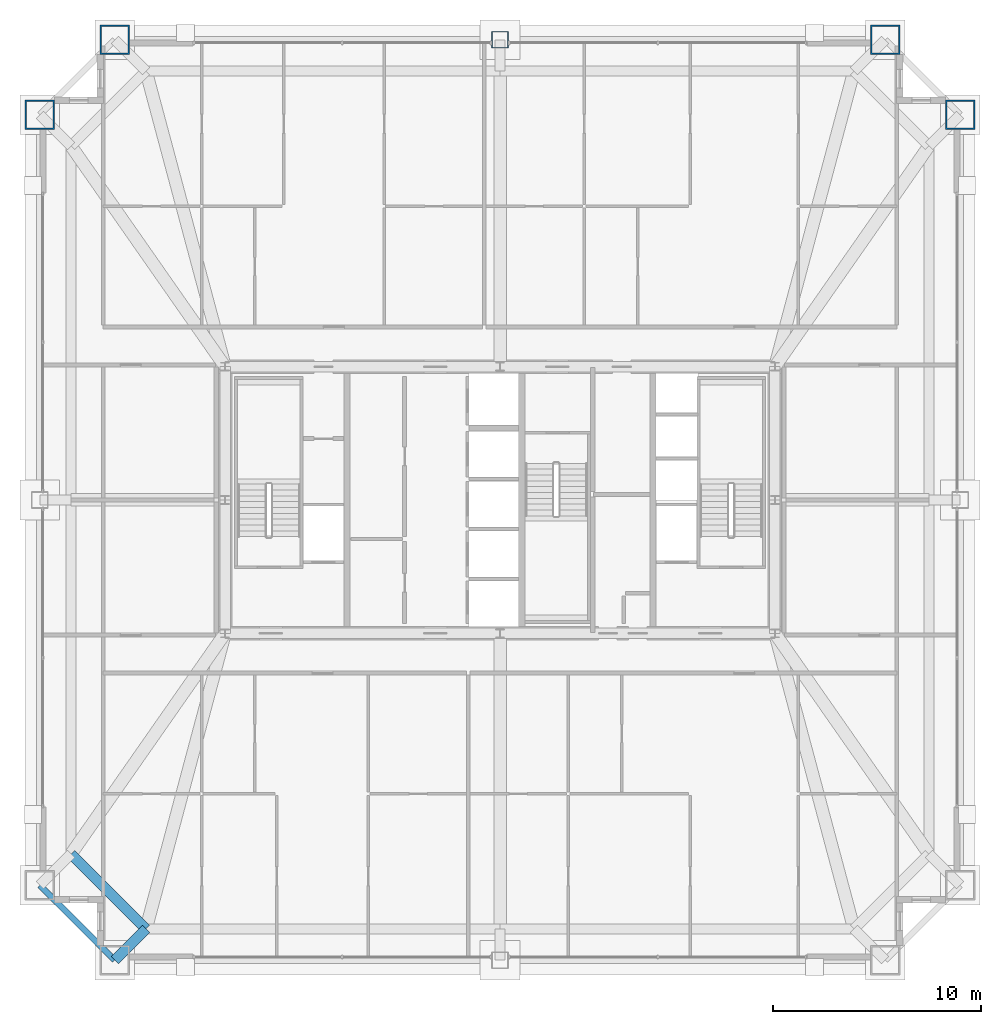
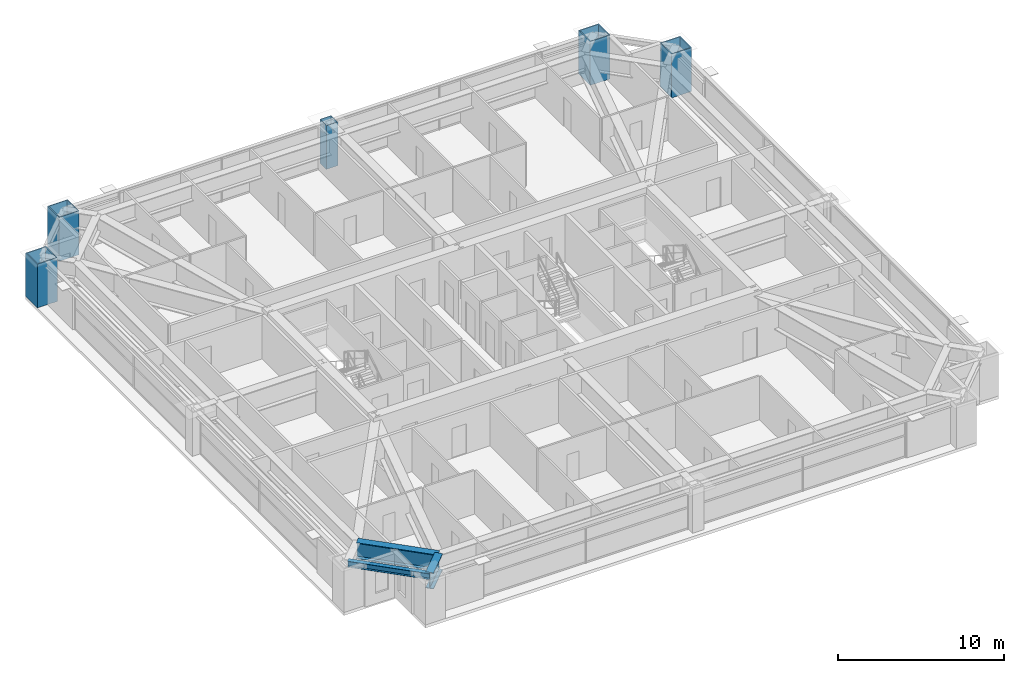
# One storey, part 3 of 39: 5 columns, 3 beams.
"""IFC4 building model written with IfcOpenShell, lengths in metres."""

from ifc_helpers import new_model, si_unit, direction, frame, origin, origin_2d, place, context, subcontext, project, spatial, hollow_rectangle, i_section, extrude, source, transform, mapped, material, material_profile, profile_set, type_object, element, save


model = new_model("IFC4")

# Units and contexts
model_context = context("Model", 3, precision=1e-05, world=origin(), true_north=direction((0.0, 1.0)))
body_context = subcontext(model_context, "Body", "Model", "MODEL_VIEW")
ifc_project = project(units=[si_unit("LENGTHUNIT", "METRE"), si_unit("AREAUNIT", "SQUARE_METRE"), si_unit("VOLUMEUNIT", "CUBIC_METRE"), si_unit("PLANEANGLEUNIT", "RADIAN"), si_unit("MASSUNIT", "GRAM", prefix="KILO"), si_unit("THERMODYNAMICTEMPERATUREUNIT", "KELVIN"), si_unit("POWERUNIT", "WATT")], contexts=[model_context])

# Site, building, storey
site_placement = place(None, origin())
site = spatial("IfcSite", under=ifc_project, at=site_placement, CompositionType="ELEMENT")
building_placement = place(site_placement, origin())
building = spatial("IfcBuilding", under=site, at=building_placement, Name="Yuzanri Waterfront Tower", CompositionType="ELEMENT")
storey_placement = place(building_placement, frame((0.0, 0.0, 216.0)))
storey = spatial("IfcBuildingStorey", under=building, at=storey_placement, Name="L57", CompositionType="ELEMENT", Elevation=216.0)

# Columns
ifc_material_1 = material(Name="Steel Q420GJC", Category="steel")
ifc_material_profile_1 = material_profile(ifc_material_1, hollow_rectangle(XDim=1.39990234375, YDim=1.39990234375, WallThickness=0.06005859375, at=origin_2d()), Name="RHS 1400x1400x60")
ifc_profile_set_1 = profile_set([ifc_material_profile_1], Name="Steel Q420GJC")
column_type_1 = type_object("IfcColumnType", Name="Mega Column Q420GJC RHS 1400x1400x60", PredefinedType="COLUMN", material=ifc_profile_set_1)
shared_shape_1 = source(origin(), body_context, "Body", "SweptSolid", [
    extrude(hollow_rectangle(XDim=1.39990234375, YDim=1.39990234375, WallThickness=0.06005859375, at=origin_2d()), origin(), (0.0, 0.0, 1.0), 3.219970703125),
])
for number, where, z_axis, x_axis, name in (
    (1, (18.5, 47.89990234375, 0.0), (0.0, 0.0, 1.0), (1.0, 0.0, 0.0), "L57 Perimeter Mega Column N1"),
    (2, (55.5, 47.89990234375, 0.0), (0.0, 0.0, 1.0), (1.0, 0.0, 0.0), "L57 Perimeter Mega Column N3"),
    (3, (14.89990234375, 44.300048828125, 0.0), (0.0, 0.0, 1.0), (1.0, 0.0, 0.0), "L57 Perimeter Mega Column W3"),
    (4, (59.10009765625, 44.300048828125, 0.0), (0.0, 0.0, 1.0), (1.0, 0.0, 0.0), "L57 Perimeter Mega Column E3"),
):
    element("IfcColumn", number, at=place(storey_placement, frame(where, z_axis=z_axis, x_axis=x_axis)), inside=storey, type_object=column_type_1, Name=name, PredefinedType="COLUMN", context=body_context, shape_type="MappedRepresentation", body=[
        mapped(shared_shape_1, transform((0.0, 0.0, 0.0), scale=1.0)),
    ])
ifc_material_2 = material(Name="Steel Q390GJC", Category="steel")
ifc_material_profile_2 = material_profile(ifc_material_2, hollow_rectangle(XDim=0.800048828125, YDim=0.800048828125, WallThickness=0.035888671875, at=origin_2d()), Name="RHS 800x800x36")
ifc_profile_set_2 = profile_set([ifc_material_profile_2], Name="Steel Q390GJC")
column_type_2 = type_object("IfcColumnType", Name="Frame Column Q390GJC RHS 800x800x36", PredefinedType="COLUMN", material=ifc_profile_set_2)
shared_shape_2 = source(origin(), body_context, "Body", "SweptSolid", [
    extrude(hollow_rectangle(XDim=0.800048828125, YDim=0.800048828125, WallThickness=0.035888671875, at=origin_2d()), origin(), (0.0, 0.0, 1.0), 3.219970703125),
])
column_placement = place(storey_placement, frame((37.0, 47.89990234375, 0.0), z_axis=(0.0, 0.0, 1.0), x_axis=(1.0, 0.0, 0.0)))
element("IfcColumn", 5, at=column_placement, inside=storey, type_object=column_type_2, Name="L57 Perimeter Frame Column N2", PredefinedType="COLUMN", context=body_context, shape_type="MappedRepresentation", body=[
    mapped(shared_shape_2, transform((0.0, 0.0, 0.0), scale=1.0)),
])

# Beams
ifc_material_3 = material(Name="Steel Q420GJC", Category="steel")
ifc_material_profile_3 = material_profile(ifc_material_3, i_section(OverallWidth=0.5, OverallDepth=1.199951171875, WebThickness=0.028076171875, FlangeThickness=0.050048828125, at=origin_2d()), Name="PG 1200x500x28x50")
ifc_profile_set_3 = profile_set([ifc_material_profile_3], Name="Steel Q420GJC")
beam_type_1 = type_object("IfcBeamType", Name="Setback Transfer Girder Q420GJC PG 1200x500", PredefinedType="USERDEFINED", material=ifc_profile_set_3)
shared_shape_3 = source(origin(), body_context, "Body", "SweptSolid", [
    extrude(i_section(OverallWidth=0.5, OverallDepth=1.199951171875, WebThickness=0.028076171875, FlangeThickness=0.050048828125, at=origin_2d()), origin(), (0.0, 0.0, 1.0), 2.121337890625),
])
beam_1_placement = place(storey_placement, frame((20.0, 5.199951171875, 2.6201171875), z_axis=(-0.707106781187, -0.707106781187, 0.0), x_axis=(0.707106781187, -0.707106781187, 0.0)))
element("IfcBeam", 6, at=beam_1_placement, inside=storey, type_object=beam_type_1, Name="L57 Setback Step Transfer S1", ObjectType="GIRDER", PredefinedType="USERDEFINED", context=body_context, shape_type="MappedRepresentation", body=[
    mapped(shared_shape_3, transform((0.0, 0.0, 0.0), scale=1.0)),
])
shared_shape_4 = source(origin(), body_context, "Body", "SweptSolid", [
    extrude(i_section(OverallWidth=0.5, OverallDepth=1.199951171875, WebThickness=0.028076171875, FlangeThickness=0.050048828125, at=origin_2d()), origin(), (0.0, 0.0, 1.0), 5.09130859375),
])
beam_2_placement = place(storey_placement, frame((16.39990234375, 8.800048828125, 2.6201171875), z_axis=(0.707106781187, -0.707106781187, 0.0), x_axis=(0.707106781187, 0.707106781187, 0.0)))
element("IfcBeam", 7, at=beam_2_placement, inside=storey, type_object=beam_type_1, Name="L57 Setback Upper Ring W1-S1", ObjectType="GIRDER", PredefinedType="USERDEFINED", context=body_context, shape_type="MappedRepresentation", body=[
    mapped(shared_shape_4, transform((0.0, 0.0, 0.0), scale=1.0)),
])
ifc_material_4 = material(Name="Steel Q355B", Category="steel")
ifc_material_profile_4 = material_profile(ifc_material_4, i_section(OverallWidth=0.300048828125, OverallDepth=0.43994140625, WebThickness=0.010986328125, FlangeThickness=0.01806640625, at=origin_2d()), Name="HM 440x300x11x18")
ifc_profile_set_4 = profile_set([ifc_material_profile_4], Name="Steel Q355B")
beam_type_2 = type_object("IfcBeamType", Name="Perimeter Spandrel Q355B HM 440x300", PredefinedType="SPANDREL", material=ifc_profile_set_4)
shared_shape_5 = source(origin(), body_context, "Body", "SweptSolid", [
    extrude(i_section(OverallWidth=0.300048828125, OverallDepth=0.43994140625, WebThickness=0.010986328125, FlangeThickness=0.01806640625, at=origin_2d()), origin(), (0.0, 0.0, 1.0), 5.09130859375),
])
beam_3_placement = place(storey_placement, frame((14.89990234375, 7.300048828125, 3.0), z_axis=(0.707106781187, -0.707106781187, 0.0), x_axis=(0.707106781187, 0.707106781187, 0.0)))
element("IfcBeam", 8, at=beam_3_placement, inside=storey, type_object=beam_type_2, Name="L57 Perimeter Spandrel W1-S1", PredefinedType="SPANDREL", context=body_context, shape_type="MappedRepresentation", body=[
    mapped(shared_shape_5, transform((0.0, 0.0, 0.0), scale=1.0)),
])

save(model, "model.ifc")
